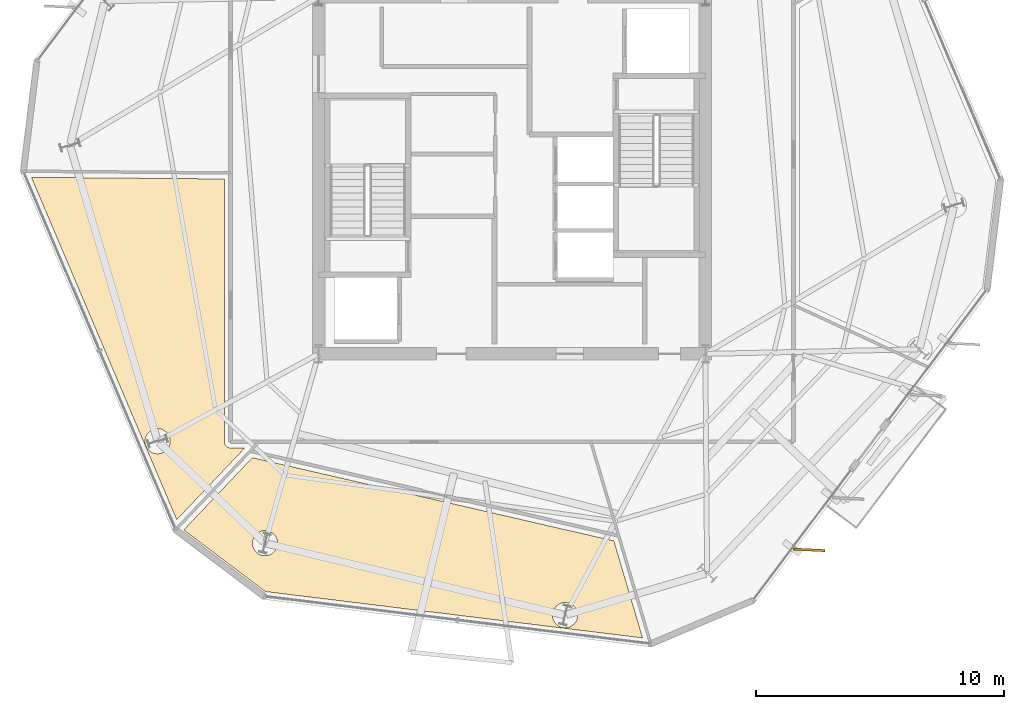
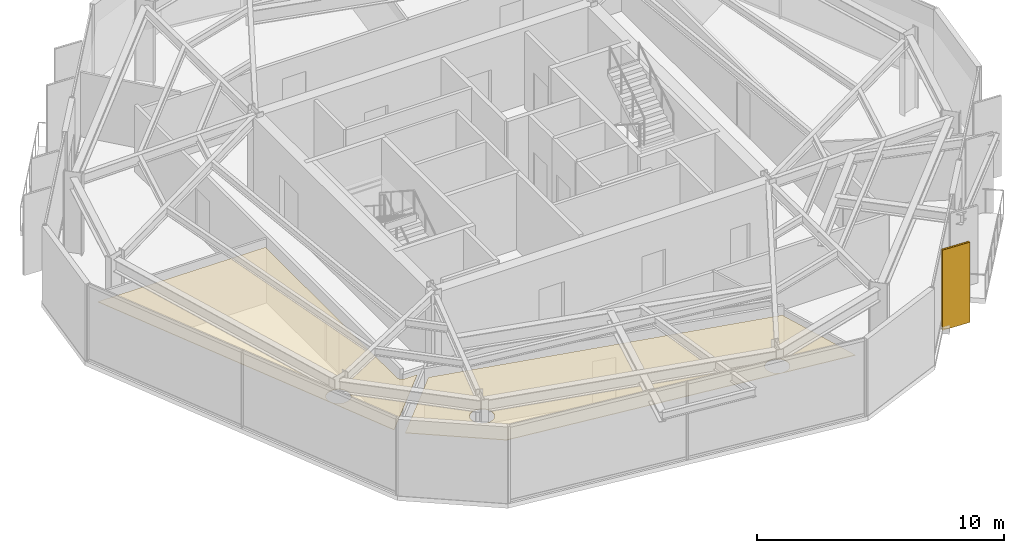
# One storey, part 10 of 12: 3 coverings, 1 shading device.
"""IFC4 building model written with IfcOpenShell, lengths in metres."""

from ifc_helpers import new_model, si_unit, direction, frame, origin, origin_2d, place, context, subcontext, project, spatial, polyline, rectangle, outline, extrude, material, layer, layer_set, type_object, element, save


model = new_model("IFC4")

# Units and contexts
model_context = context("Model", 3, precision=1e-05, world=origin(), true_north=direction((0.0, 1.0)))
body_context = subcontext(model_context, "Body", "Model", "MODEL_VIEW")
ifc_project = project(units=[si_unit("LENGTHUNIT", "METRE"), si_unit("AREAUNIT", "SQUARE_METRE"), si_unit("VOLUMEUNIT", "CUBIC_METRE"), si_unit("PLANEANGLEUNIT", "RADIAN"), si_unit("MASSUNIT", "GRAM", prefix="KILO")], contexts=[model_context])

# Site, building, storey
site_placement = place(None, origin())
site = spatial("IfcSite", under=ifc_project, at=site_placement, CompositionType="ELEMENT")
building_placement = place(site_placement, origin())
building = spatial("IfcBuilding", under=site, at=building_placement, Name="Kranzbogen Civic Tower", CompositionType="ELEMENT")
storey_placement = place(building_placement, frame((0.0, 0.0, 236.800048828125)))
storey = spatial("IfcBuildingStorey", under=building, at=storey_placement, Name="L57", CompositionType="ELEMENT", Elevation=236.800048828125)

# Covering
ifc_material_1 = material(Name="Pale Anodised Aluminium", Category="aluminium")
ifc_layer_1 = layer(ifc_material_1, 0.02490234375, Name="Pale Anodised Aluminium")
ifc_layer_set_1 = layer_set([ifc_layer_1], Name="Pale Anodised Aluminium")
covering_type_1 = type_object("IfcCoveringType", Name="Anodised Aluminium Vertical Fin Cladding 25 mm", PredefinedType="CLADDING", material=ifc_layer_set_1)
covering_1_placement = place(storey_placement, frame((36.989990234375, 9.89404296875, -0.14013671875), z_axis=(0.0, 0.0, 1.0), x_axis=(0.998799306891, -0.048989228964, 0.0)))
element("IfcCovering", 1, at=covering_1_placement, inside=storey, type_object=covering_type_1, Name="L57 vertical fin pale-metal cladding F5-1", PredefinedType="CLADDING", context=body_context, shape_type="SweptSolid", body=[
    extrude(rectangle(XDim=1.25, YDim=0.10009765625, at=origin_2d()), origin(), (0.0, 0.0, 1.0), 3.9599609375),
])

# Shading device
ifc_material_2 = material(Name="Anodised Bronze Aluminium", Category="aluminium")
shading_device_type = type_object("IfcShadingDeviceType", Name="Anodised Bronze Vertical Facade Fin 1250x80", PredefinedType="USERDEFINED", material=ifc_material_2)
shading_device_placement = place(storey_placement, frame((36.989990234375, 9.89404296875, -0.14013671875), z_axis=(0.0, 0.0, 1.0), x_axis=(0.998799306891, -0.048989228964, 0.0)))
element("IfcShadingDevice", 2, at=shading_device_placement, inside=storey, type_object=shading_device_type, Name="L57 vertical exterior shading fin F5-1", ObjectType="FIN", PredefinedType="USERDEFINED", context=body_context, shape_type="SweptSolid", body=[
    extrude(rectangle(XDim=1.25, YDim=0.080078125, at=origin_2d()), origin(), (0.0, 0.0, 1.0), 3.9599609375),
])

# Coverings
ifc_material_3 = material(Name="Perforated Acoustic Gypsum Ceiling")
ifc_layer_2 = layer(ifc_material_3, 0.02490234375, Name="Perforated Acoustic Gypsum Ceiling")
ifc_layer_set_2 = layer_set([ifc_layer_2], Name="Perforated Acoustic Gypsum Ceiling")
covering_type_2 = type_object("IfcCoveringType", Name="Perforated Acoustic Mineral Ceiling Tile 25 mm", PredefinedType="CEILING", material=ifc_layer_set_2)
covering_2_placement = place(storey_placement, frame((0.0, 0.0, 2.89990234375)))
element("IfcCovering", 3, at=covering_2_placement, inside=storey, type_object=covering_type_2, Name="L57 Delegates Sitting Lounge acoustic ceiling", PredefinedType="CEILING", context=body_context, shape_type="SweptSolid", body=[
    extrude(outline(polyline([(13.405029296875, 24.85400390625), (13.405029296875, 14.25), (13.405029296875, 14.240966796875), (13.406005859375, 14.235107421875), (13.406982421875, 14.217041015625), (13.407958984375, 14.2109375), (13.412109375, 14.194091796875), (13.4130859375, 14.18701171875), (13.41796875, 14.169921875), (13.419921875, 14.1640625), (13.427001953125, 14.14794921875), (13.429931640625, 14.14208984375), (13.43798828125, 14.126953125), (13.44189453125, 14.12109375), (13.450927734375, 14.10693359375), (13.455078125, 14.10205078125), (13.466064453125, 14.087890625), (13.470947265625, 14.0830078125), (13.48291015625, 14.071044921875), (13.488037109375, 14.06591796875), (13.501953125, 14.054931640625), (13.507080078125, 14.051025390625), (13.52099609375, 14.0419921875), (13.527099609375, 14.0380859375), (13.5419921875, 14.030029296875), (13.548095703125, 14.027099609375), (13.56396484375, 14.02001953125), (13.570068359375, 14.01806640625), (13.5869140625, 14.012939453125), (13.593994140625, 14.011962890625), (13.611083984375, 14.008056640625), (13.616943359375, 14.007080078125), (13.635009765625, 14.006103515625), (13.64111328125, 14.0048828125), (13.64990234375, 14.0048828125), (14.22412109375, 14.0048828125), (11.47705078125, 11.111083984375), (5.614990234375, 24.9208984375), (13.405029296875, 24.85400390625)]), holes=[polyline([(11.176025390625, 14.08203125), (11.154052734375, 14.037109375), (11.12890625, 13.993896484375), (11.09912109375, 13.9541015625), (11.06591796875, 13.9169921875), (11.029052734375, 13.884033203125), (10.989013671875, 13.85400390625), (10.946044921875, 13.8291015625), (10.90087890625, 13.806884765625), (10.85400390625, 13.791015625), (10.805908203125, 13.779052734375), (10.757080078125, 13.77099609375), (10.70703125, 13.76904296875), (10.656982421875, 13.77099609375), (10.60791015625, 13.779052734375), (10.56005859375, 13.791015625), (10.512939453125, 13.806884765625), (10.468017578125, 13.8291015625), (10.425048828125, 13.85400390625), (10.385009765625, 13.884033203125), (10.347900390625, 13.9169921875), (10.31494140625, 13.9541015625), (10.284912109375, 13.993896484375), (10.260009765625, 14.037109375), (10.238037109375, 14.08203125), (10.221923828125, 14.12890625), (10.2099609375, 14.177001953125), (10.201904296875, 14.22607421875), (10.199951171875, 14.27587890625), (10.201904296875, 14.325927734375), (10.2099609375, 14.375), (10.221923828125, 14.423095703125), (10.238037109375, 14.469970703125), (10.260009765625, 14.514892578125), (10.284912109375, 14.55810546875), (10.31494140625, 14.597900390625), (10.347900390625, 14.635009765625), (10.385009765625, 14.66796875), (10.425048828125, 14.697998046875), (10.468017578125, 14.722900390625), (10.512939453125, 14.7451171875), (10.56005859375, 14.760986328125), (10.60791015625, 14.77294921875), (10.656982421875, 14.781005859375), (10.70703125, 14.782958984375), (10.757080078125, 14.781005859375), (10.805908203125, 14.77294921875), (10.85400390625, 14.760986328125), (10.90087890625, 14.7451171875), (10.946044921875, 14.722900390625), (10.989013671875, 14.697998046875), (11.029052734375, 14.66796875), (11.06591796875, 14.635009765625), (11.09912109375, 14.597900390625), (11.12890625, 14.55810546875), (11.154052734375, 14.514892578125), (11.176025390625, 14.469970703125), (11.19189453125, 14.423095703125), (11.2041015625, 14.375), (11.2119140625, 14.325927734375), (11.214111328125, 14.27587890625), (11.2119140625, 14.22607421875), (11.2041015625, 14.177001953125), (11.19189453125, 14.12890625), (11.176025390625, 14.08203125)])]), origin(), (0.0, 0.0, 1.0), 0.025146484375),
])
covering_3_placement = place(storey_placement, frame((0.0, 0.0, 2.89990234375)))
element("IfcCovering", 4, at=covering_3_placement, inside=storey, type_object=covering_type_2, Name="L57 Protocol Dining Room acoustic ceiling", PredefinedType="CEILING", context=body_context, shape_type="SweptSolid", body=[
    extrude(outline(polyline([(14.528076171875, 13.613037109375), (29.10888671875, 10.258056640625), (30.26708984375, 6.343994140625), (15.056884765625, 8.2119140625), (11.759033203125, 10.697021484375), (14.528076171875, 13.613037109375)]), holes=[polyline([(15.508056640625, 9.970947265625), (15.486083984375, 9.926025390625), (15.4609375, 9.883056640625), (15.430908203125, 9.843017578125), (15.39794921875, 9.805908203125), (15.361083984375, 9.77294921875), (15.321044921875, 9.742919921875), (15.278076171875, 9.718017578125), (15.23291015625, 9.696044921875), (15.18603515625, 9.679931640625), (15.137939453125, 9.66796875), (15.089111328125, 9.659912109375), (15.0390625, 9.657958984375), (14.989013671875, 9.659912109375), (14.93994140625, 9.66796875), (14.89208984375, 9.679931640625), (14.844970703125, 9.696044921875), (14.800048828125, 9.718017578125), (14.757080078125, 9.742919921875), (14.717041015625, 9.77294921875), (14.679931640625, 9.805908203125), (14.64697265625, 9.843017578125), (14.616943359375, 9.883056640625), (14.592041015625, 9.926025390625), (14.570068359375, 9.970947265625), (14.553955078125, 10.01806640625), (14.5419921875, 10.06591796875), (14.533935546875, 10.114990234375), (14.531982421875, 10.1650390625), (14.533935546875, 10.215087890625), (14.5419921875, 10.263916015625), (14.553955078125, 10.31201171875), (14.570068359375, 10.35888671875), (14.592041015625, 10.404052734375), (14.616943359375, 10.447021484375), (14.64697265625, 10.487060546875), (14.679931640625, 10.52392578125), (14.717041015625, 10.556884765625), (14.757080078125, 10.5869140625), (14.800048828125, 10.612060546875), (14.844970703125, 10.634033203125), (14.89208984375, 10.64990234375), (14.93994140625, 10.662109375), (14.989013671875, 10.669921875), (15.0390625, 10.672119140625), (15.089111328125, 10.669921875), (15.137939453125, 10.662109375), (15.18603515625, 10.64990234375), (15.23291015625, 10.634033203125), (15.278076171875, 10.612060546875), (15.321044921875, 10.5869140625), (15.361083984375, 10.556884765625), (15.39794921875, 10.52392578125), (15.430908203125, 10.487060546875), (15.4609375, 10.447021484375), (15.486083984375, 10.404052734375), (15.508056640625, 10.35888671875), (15.52392578125, 10.31201171875), (15.535888671875, 10.263916015625), (15.5439453125, 10.215087890625), (15.5458984375, 10.1650390625), (15.5439453125, 10.114990234375), (15.535888671875, 10.06591796875), (15.52392578125, 10.01806640625), (15.508056640625, 9.970947265625)]), polyline([(27.60888671875, 7.06591796875), (27.5869140625, 7.02099609375), (27.56201171875, 6.97802734375), (27.531982421875, 6.93798828125), (27.4990234375, 6.90087890625), (27.4619140625, 6.867919921875), (27.422119140625, 6.837890625), (27.37890625, 6.81298828125), (27.333984375, 6.791015625), (27.287109375, 6.77490234375), (27.239013671875, 6.762939453125), (27.18994140625, 6.7548828125), (27.139892578125, 6.7529296875), (27.090087890625, 6.7548828125), (27.041015625, 6.762939453125), (26.992919921875, 6.77490234375), (26.946044921875, 6.791015625), (26.90087890625, 6.81298828125), (26.85791015625, 6.837890625), (26.818115234375, 6.867919921875), (26.781005859375, 6.90087890625), (26.748046875, 6.93798828125), (26.718017578125, 6.97802734375), (26.693115234375, 7.02099609375), (26.6708984375, 7.06591796875), (26.655029296875, 7.113037109375), (26.64306640625, 7.160888671875), (26.635009765625, 7.2099609375), (26.633056640625, 7.260009765625), (26.635009765625, 7.31005859375), (26.64306640625, 7.35888671875), (26.655029296875, 7.406982421875), (26.6708984375, 7.4541015625), (26.693115234375, 7.4990234375), (26.718017578125, 7.5419921875), (26.748046875, 7.58203125), (26.781005859375, 7.618896484375), (26.818115234375, 7.652099609375), (26.85791015625, 7.681884765625), (26.90087890625, 7.70703125), (26.946044921875, 7.72900390625), (26.992919921875, 7.7451171875), (27.041015625, 7.757080078125), (27.090087890625, 7.764892578125), (27.139892578125, 7.76708984375), (27.18994140625, 7.764892578125), (27.239013671875, 7.757080078125), (27.287109375, 7.7451171875), (27.333984375, 7.72900390625), (27.37890625, 7.70703125), (27.422119140625, 7.681884765625), (27.4619140625, 7.652099609375), (27.4990234375, 7.618896484375), (27.531982421875, 7.58203125), (27.56201171875, 7.5419921875), (27.5869140625, 7.4990234375), (27.60888671875, 7.4541015625), (27.625, 7.406982421875), (27.636962890625, 7.35888671875), (27.64501953125, 7.31005859375), (27.64697265625, 7.260009765625), (27.64501953125, 7.2099609375), (27.636962890625, 7.160888671875), (27.625, 7.113037109375), (27.60888671875, 7.06591796875)])]), origin(), (0.0, 0.0, 1.0), 0.025146484375),
])

save(model, "model.ifc")
